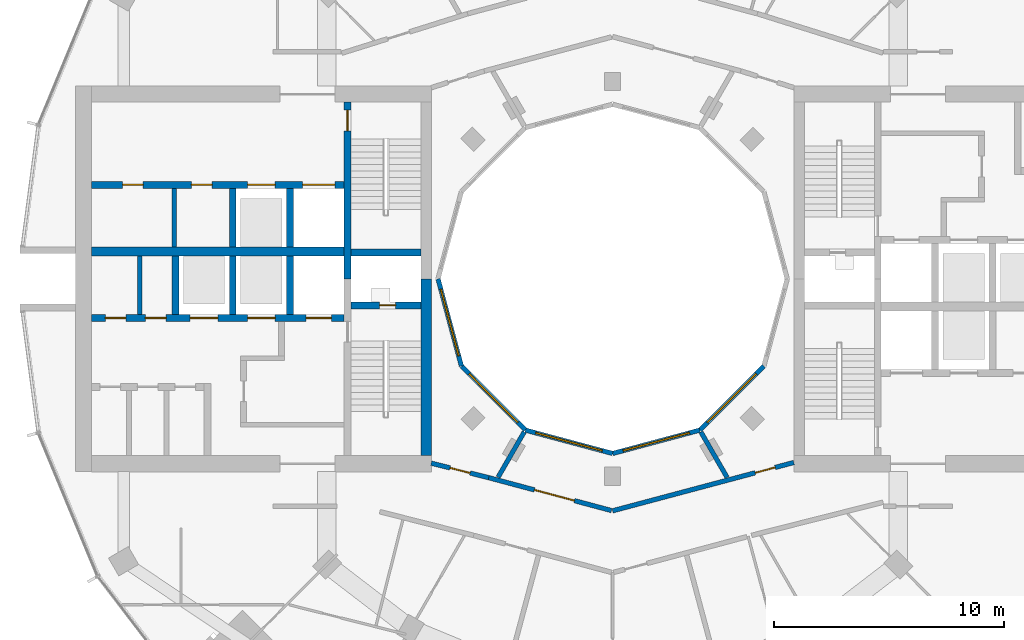
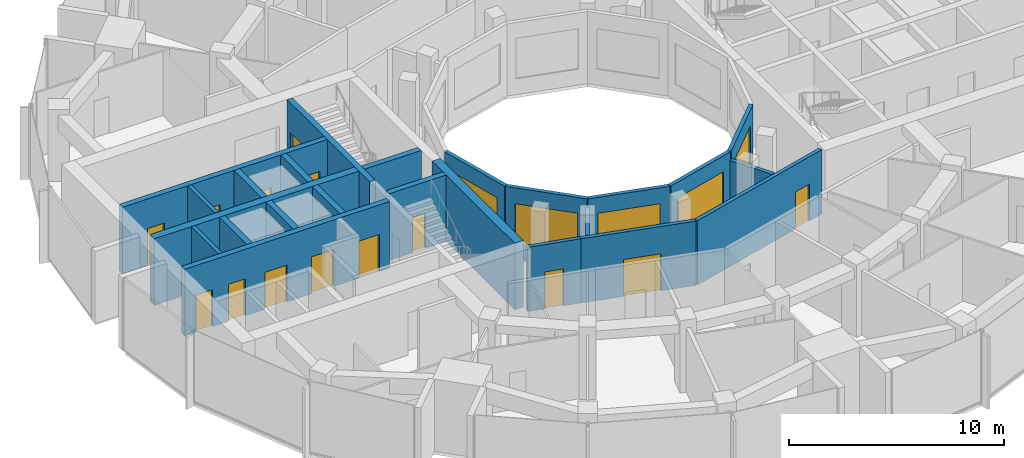
# One storey, part 9 of 15: 24 walls, 14 doors, 5 windows, 19 openings.
"""IFC4 building model written with IfcOpenShell, lengths in metres."""

from ifc_helpers import new_model, si_unit, direction, frame, frame_2d, origin, place, context, subcontext, project, spatial, rectangle, extrude, material, layer, layer_set, type_object, element, fill, save


model = new_model("IFC4")

# Units and contexts
model_context = context("Model", 3, precision=1e-05, world=origin(), true_north=direction((0.0, 1.0)))
body_context = subcontext(model_context, "Body", "Model", "MODEL_VIEW")
ifc_project = project(units=[si_unit("LENGTHUNIT", "METRE"), si_unit("AREAUNIT", "SQUARE_METRE"), si_unit("VOLUMEUNIT", "CUBIC_METRE"), si_unit("PLANEANGLEUNIT", "RADIAN"), si_unit("MASSUNIT", "GRAM", prefix="KILO")], contexts=[model_context])

# Site, building, storey
site_placement = place(None, origin())
site = spatial("IfcSite", under=ifc_project, at=site_placement, CompositionType="ELEMENT")
building_placement = place(site_placement, origin())
building = spatial("IfcBuilding", under=site, at=building_placement, Name="Torre Brocal", CompositionType="ELEMENT")
storey_placement = place(building_placement, frame((0.0, 0.0, 170.0)))
storey = spatial("IfcBuildingStorey", under=building, at=storey_placement, Name="L39", CompositionType="ELEMENT", Elevation=170.0)

# Walls
ifc_material_1 = material(Name="Masonry block", Category="masonry")
ifc_layer_1 = layer(ifc_material_1, 0.199951171875)
ifc_layer_set_1 = layer_set([ifc_layer_1], Name="Masonry block")
wall_type_1 = type_object("IfcWallType", Name="CORE PARTITION 200", PredefinedType="PARTITIONING", material=ifc_layer_set_1)
for number, where, z_axis, x_axis, name in (
    (1, (59.39990234375, 76.0, 0.0), (0.0, 0.0, 1.0), (0.0, -1.0, 0.0), "Wall CP200"),
    (2, (60.89990234375, 78.949951171875, 0.0), (0.0, 0.0, 1.0), (0.0, -1.0, 0.0), "Wall CP200"),
):
    element("IfcWall", number, at=place(storey_placement, frame(where, z_axis=z_axis, x_axis=x_axis)), inside=storey, type_object=wall_type_1, Name=name, PredefinedType="PARTITIONING", context=body_context, shape_type="SweptSolid", body=[
        extrude(rectangle(XDim=2.550048828125, YDim=0.199951171875, at=frame_2d((1.27490234375, 0.0))), origin(), (0.0, 0.0, 1.0), 3.780029296875),
    ])

# Wall, opening, door
ifc_material_2 = material(Name="Concrete C70", Category="concrete")
ifc_layer_2 = layer(ifc_material_2, 0.300048828125)
ifc_layer_set_2 = layer_set([ifc_layer_2], Name="Concrete C70")
wall_type_2 = type_object("IfcWallType", Name="CORE WALL 300 C70", PredefinedType="SHEAR", material=ifc_layer_set_2)
wall_1_placement = place(storey_placement, frame((68.449951171875, 82.699951171875, 0.0), z_axis=(0.0, 0.0, 1.0), x_axis=(0.0, -1.0, 0.0)))
wall_1 = element("IfcWall", 3, at=wall_1_placement, inside=storey, type_object=wall_type_2, Name="Wall CW300-70", PredefinedType="SHEAR", context=body_context, shape_type="SweptSolid", body=[
    extrude(rectangle(XDim=7.699951171875, YDim=0.300048828125, at=frame_2d((3.85009765625, 0.0))), origin(), (0.0, 0.0, 1.0), 3.780029296875),
])
opening_1_placement = place(wall_1_placement, frame((0.35009765625, 0.0, 0.0)))
opening_1 = element("IfcOpeningElement", 4, at=opening_1_placement, cuts=wall_1, Name="Opening W-D03", PredefinedType="OPENING", context=body_context, shape_type="SweptSolid", body=[
    extrude(rectangle(XDim=0.89990234375, YDim=2.10009765625, at=frame_2d((0.449951171875, 1.050048828125))), frame((0.0, 0.159912109375, 0.0), z_axis=(0.0, -1.0, 0.0), x_axis=(1.0, 0.0, 0.0)), (0.0, 0.0, 1.0), 0.320068359375),
])
ifc_material_3 = material(Name="Steel A653", Category="steel")
door_type_1 = type_object("IfcDoorType", Name="STAIR DOOR FD120 900X2100", OperationType="SINGLE_SWING_RIGHT", PredefinedType="DOOR", material=ifc_material_3)
door_1_placement = place(opening_1_placement, origin())
door_1 = element("IfcDoor", 5, at=door_1_placement, inside=storey, type_object=door_type_1, Name="Door W-D03", OperationType="SINGLE_SWING_LEFT", OverallHeight=2.10009765625, OverallWidth=0.89990234375, PredefinedType="DOOR", context=body_context, shape_type="SweptSolid", body=[
    extrude(rectangle(XDim=0.89990234375, YDim=2.10009765625, at=frame_2d((0.449951171875, 1.050048828125))), frame((0.0, 0.02490234375, 0.0), z_axis=(0.0, -1.0, 0.0), x_axis=(1.0, 0.0, 0.0)), (0.0, 0.0, 1.0), 0.050048828125),
])
fill(opening_1, door_1)

wall_2_placement = place(storey_placement, frame((71.64990234375, 73.85009765625, 0.0), z_axis=(0.0, 0.0, 1.0), x_axis=(-1.0, 0.0, 0.0)))
wall_2 = element("IfcWall", 6, at=wall_2_placement, inside=storey, type_object=wall_type_2, Name="Wall CW300-70", PredefinedType="SHEAR", context=body_context, shape_type="SweptSolid", body=[
    extrude(rectangle(XDim=3.0498046875, YDim=0.300048828125, at=frame_2d((1.52490234375, 0.0))), origin(), (0.0, 0.0, 1.0), 3.780029296875),
])
opening_2_placement = place(wall_2_placement, frame((1.10009765625, 0.0, 0.0)))
opening_2 = element("IfcOpeningElement", 7, at=opening_2_placement, cuts=wall_2, Name="Opening W-D01", PredefinedType="OPENING", context=body_context, shape_type="SweptSolid", body=[
    extrude(rectangle(XDim=0.699951171875, YDim=2.0, at=frame_2d((0.35009765625, 1.0))), frame((0.0, 0.159912109375, 0.0), z_axis=(0.0, -1.0, 0.0), x_axis=(1.0, 0.0, 0.0)), (0.0, 0.0, 1.0), 0.320068359375),
])
ifc_material_4 = material(Name="Steel A653", Category="steel")
door_type_2 = type_object("IfcDoorType", Name="RISER DOOR FD120 700X2000", OperationType="SINGLE_SWING_LEFT", PredefinedType="DOOR", material=ifc_material_4)
door_2_placement = place(opening_2_placement, frame((0.699951171875, 0.0, 0.0), z_axis=(0.0, 0.0, 1.0), x_axis=(-1.0, 0.0, 0.0)))
door_2 = element("IfcDoor", 8, at=door_2_placement, inside=storey, type_object=door_type_2, Name="Door W-D01", OperationType="SINGLE_SWING_RIGHT", OverallHeight=2.0, OverallWidth=0.699951171875, PredefinedType="DOOR", context=body_context, shape_type="SweptSolid", body=[
    extrude(rectangle(XDim=0.699951171875, YDim=2.0, at=frame_2d((0.35009765625, 1.0))), frame((0.0, 0.02490234375, 0.0), z_axis=(0.0, -1.0, 0.0), x_axis=(1.0, 0.0, 0.0)), (0.0, 0.0, 1.0), 0.050048828125),
])
fill(opening_2, door_2)

# Wall
wall_3_placement = place(storey_placement, frame((71.64990234375, 76.14990234375, 0.0), z_axis=(0.0, 0.0, 1.0), x_axis=(-1.0, 0.0, 0.0)))
element("IfcWall", 9, at=wall_3_placement, inside=storey, type_object=wall_type_2, Name="Wall CW300-70", PredefinedType="SHEAR", context=body_context, shape_type="SweptSolid", body=[
    extrude(rectangle(XDim=3.0498046875, YDim=0.300048828125, at=frame_2d((1.52490234375, 0.0))), origin(), (0.0, 0.0, 1.0), 3.780029296875),
])

# Wall, openings, doors
wall_4_placement = place(storey_placement, frame((68.300048828125, 73.300048828125, 0.0), z_axis=(0.0, 0.0, 1.0), x_axis=(-1.0, 0.0, 0.0)))
wall_4 = element("IfcWall", 10, at=wall_4_placement, inside=storey, type_object=wall_type_2, Name="Wall CW300-70", PredefinedType="SHEAR", context=body_context, shape_type="SweptSolid", body=[
    extrude(rectangle(XDim=11.0, YDim=0.300048828125, at=frame_2d((5.5, 0.0))), origin(), (0.0, 0.0, 1.0), 3.780029296875),
])
opening_3_placement = place(wall_4_placement, frame((0.550048828125, 0.0, 0.0)))
opening_3 = element("IfcOpeningElement", 11, at=opening_3_placement, cuts=wall_4, Name="Opening LD", PredefinedType="OPENING", context=body_context, shape_type="SweptSolid", body=[
    extrude(rectangle(XDim=1.10009765625, YDim=2.10009765625, at=frame_2d((0.550048828125, 1.050048828125))), frame((0.0, 0.159912109375, 0.0), z_axis=(0.0, -1.0, 0.0), x_axis=(1.0, 0.0, 0.0)), (0.0, 0.0, 1.0), 0.320068359375),
])
opening_4_placement = place(wall_4_placement, frame((3.0, 0.0, 0.0)))
opening_4 = element("IfcOpeningElement", 12, at=opening_4_placement, cuts=wall_4, Name="Opening LD12", PredefinedType="OPENING", context=body_context, shape_type="SweptSolid", body=[
    extrude(rectangle(XDim=1.199951171875, YDim=2.10009765625, at=frame_2d((0.60009765625, 1.050048828125))), frame((0.0, 0.159912109375, 0.0), z_axis=(0.0, -1.0, 0.0), x_axis=(1.0, 0.0, 0.0)), (0.0, 0.0, 1.0), 0.320068359375),
])
opening_5_placement = place(wall_4_placement, frame((5.5, 0.0, 0.0)))
opening_5 = element("IfcOpeningElement", 13, at=opening_5_placement, cuts=wall_4, Name="Opening LD12", PredefinedType="OPENING", context=body_context, shape_type="SweptSolid", body=[
    extrude(rectangle(XDim=1.199951171875, YDim=2.10009765625, at=frame_2d((0.60009765625, 1.050048828125))), frame((0.0, 0.159912109375, 0.0), z_axis=(0.0, -1.0, 0.0), x_axis=(1.0, 0.0, 0.0)), (0.0, 0.0, 1.0), 0.320068359375),
])
opening_6_placement = place(wall_4_placement, frame((7.75, 0.0, 0.0)))
opening_6 = element("IfcOpeningElement", 14, at=opening_6_placement, cuts=wall_4, Name="Opening W-D04", PredefinedType="OPENING", context=body_context, shape_type="SweptSolid", body=[
    extrude(rectangle(XDim=0.89990234375, YDim=2.10009765625, at=frame_2d((0.449951171875, 1.050048828125))), frame((0.0, 0.159912109375, 0.0), z_axis=(0.0, -1.0, 0.0), x_axis=(1.0, 0.0, 0.0)), (0.0, 0.0, 1.0), 0.320068359375),
])
opening_7_placement = place(wall_4_placement, frame((9.5, 0.0, 0.0)))
opening_7 = element("IfcOpeningElement", 15, at=opening_7_placement, cuts=wall_4, Name="Opening W-D05", PredefinedType="OPENING", context=body_context, shape_type="SweptSolid", body=[
    extrude(rectangle(XDim=0.89990234375, YDim=2.10009765625, at=frame_2d((0.449951171875, 1.050048828125))), frame((0.0, 0.159912109375, 0.0), z_axis=(0.0, -1.0, 0.0), x_axis=(1.0, 0.0, 0.0)), (0.0, 0.0, 1.0), 0.320068359375),
])
ifc_material_5 = material(Name="Stainless steel AISI 316", Category="steel")
door_type_3 = type_object("IfcDoorType", Name="LIFT LANDING DOOR 1100X2100", OperationType="DOUBLE_DOOR_SLIDING", PredefinedType="DOOR", material=ifc_material_5)
door_3_placement = place(opening_3_placement, origin())
door_3 = element("IfcDoor", 16, at=door_3_placement, inside=storey, type_object=door_type_3, Name="Door LD", OperationType="DOUBLE_DOOR_SLIDING", OverallHeight=2.10009765625, OverallWidth=1.10009765625, PredefinedType="DOOR", context=body_context, shape_type="SweptSolid", body=[
    extrude(rectangle(XDim=1.10009765625, YDim=2.10009765625, at=frame_2d((0.550048828125, 1.050048828125))), frame((0.0, 0.02490234375, 0.0), z_axis=(0.0, -1.0, 0.0), x_axis=(1.0, 0.0, 0.0)), (0.0, 0.0, 1.0), 0.050048828125),
])
fill(opening_3, door_3)
ifc_material_6 = material(Name="Stainless steel AISI 316", Category="steel")
door_type_4 = type_object("IfcDoorType", Name="LIFT LANDING DOOR 1200X2100", OperationType="DOUBLE_DOOR_SLIDING", PredefinedType="DOOR", material=ifc_material_6)
door_4_placement = place(opening_4_placement, origin())
door_4 = element("IfcDoor", 17, at=door_4_placement, inside=storey, type_object=door_type_4, Name="Door LD12", OperationType="DOUBLE_DOOR_SLIDING", OverallHeight=2.10009765625, OverallWidth=1.199951171875, PredefinedType="DOOR", context=body_context, shape_type="SweptSolid", body=[
    extrude(rectangle(XDim=1.199951171875, YDim=2.10009765625, at=frame_2d((0.60009765625, 1.050048828125))), frame((0.0, 0.02490234375, 0.0), z_axis=(0.0, -1.0, 0.0), x_axis=(1.0, 0.0, 0.0)), (0.0, 0.0, 1.0), 0.050048828125),
])
fill(opening_4, door_4)
door_5_placement = place(opening_5_placement, origin())
door_5 = element("IfcDoor", 18, at=door_5_placement, inside=storey, type_object=door_type_4, Name="Door LD12", OperationType="DOUBLE_DOOR_SLIDING", OverallHeight=2.10009765625, OverallWidth=1.199951171875, PredefinedType="DOOR", context=body_context, shape_type="SweptSolid", body=[
    extrude(rectangle(XDim=1.199951171875, YDim=2.10009765625, at=frame_2d((0.60009765625, 1.050048828125))), frame((0.0, 0.02490234375, 0.0), z_axis=(0.0, -1.0, 0.0), x_axis=(1.0, 0.0, 0.0)), (0.0, 0.0, 1.0), 0.050048828125),
])
fill(opening_5, door_5)
ifc_material_7 = material(Name="Steel A653", Category="steel")
door_type_5 = type_object("IfcDoorType", Name="ROOM DOOR FD30S 900X2100", OperationType="SINGLE_SWING_LEFT", PredefinedType="DOOR", material=ifc_material_7)
door_6_placement = place(opening_6_placement, frame((0.89990234375, 0.0, 0.0), z_axis=(0.0, 0.0, 1.0), x_axis=(-1.0, 0.0, 0.0)))
door_6 = element("IfcDoor", 19, at=door_6_placement, inside=storey, type_object=door_type_5, Name="Door W-D04", OperationType="SINGLE_SWING_LEFT", OverallHeight=2.10009765625, OverallWidth=0.89990234375, PredefinedType="DOOR", context=body_context, shape_type="SweptSolid", body=[
    extrude(rectangle(XDim=0.89990234375, YDim=2.10009765625, at=frame_2d((0.449951171875, 1.050048828125))), frame((0.0, 0.02490234375, 0.0), z_axis=(0.0, -1.0, 0.0), x_axis=(1.0, 0.0, 0.0)), (0.0, 0.0, 1.0), 0.050048828125),
])
fill(opening_6, door_6)
door_7_placement = place(opening_7_placement, frame((0.89990234375, 0.0, 0.0), z_axis=(0.0, 0.0, 1.0), x_axis=(-1.0, 0.0, 0.0)))
door_7 = element("IfcDoor", 20, at=door_7_placement, inside=storey, type_object=door_type_5, Name="Door W-D05", OperationType="SINGLE_SWING_RIGHT", OverallHeight=2.10009765625, OverallWidth=0.89990234375, PredefinedType="DOOR", context=body_context, shape_type="SweptSolid", body=[
    extrude(rectangle(XDim=0.89990234375, YDim=2.10009765625, at=frame_2d((0.449951171875, 1.050048828125))), frame((0.0, 0.02490234375, 0.0), z_axis=(0.0, -1.0, 0.0), x_axis=(1.0, 0.0, 0.0)), (0.0, 0.0, 1.0), 0.050048828125),
])
fill(opening_7, door_7)

wall_5_placement = place(storey_placement, frame((68.300048828125, 79.10009765625, 0.0), z_axis=(0.0, 0.0, 1.0), x_axis=(-1.0, 0.0, 0.0)))
wall_5 = element("IfcWall", 21, at=wall_5_placement, inside=storey, type_object=wall_type_2, Name="Wall CW300-70", PredefinedType="SHEAR", context=body_context, shape_type="SweptSolid", body=[
    extrude(rectangle(XDim=11.0, YDim=0.300048828125, at=frame_2d((5.5, 0.0))), origin(), (0.0, 0.0, 1.0), 3.780029296875),
])
opening_8_placement = place(wall_5_placement, frame((0.39990234375, 0.0, 0.0)))
opening_8 = element("IfcOpeningElement", 22, at=opening_8_placement, cuts=wall_5, Name="Opening LD14", PredefinedType="OPENING", context=body_context, shape_type="SweptSolid", body=[
    extrude(rectangle(XDim=1.39990234375, YDim=2.10009765625, at=frame_2d((0.699951171875, 1.050048828125))), frame((0.0, 0.159912109375, 0.0), z_axis=(0.0, -1.0, 0.0), x_axis=(1.0, 0.0, 0.0)), (0.0, 0.0, 1.0), 0.320068359375),
])
opening_9_placement = place(wall_5_placement, frame((3.0, 0.0, 0.0)))
opening_9 = element("IfcOpeningElement", 23, at=opening_9_placement, cuts=wall_5, Name="Opening LD12", PredefinedType="OPENING", context=body_context, shape_type="SweptSolid", body=[
    extrude(rectangle(XDim=1.199951171875, YDim=2.10009765625, at=frame_2d((0.60009765625, 1.050048828125))), frame((0.0, 0.159912109375, 0.0), z_axis=(0.0, -1.0, 0.0), x_axis=(1.0, 0.0, 0.0)), (0.0, 0.0, 1.0), 0.320068359375),
])
opening_10_placement = place(wall_5_placement, frame((5.75, 0.0, 0.0)))
opening_10 = element("IfcOpeningElement", 24, at=opening_10_placement, cuts=wall_5, Name="Opening W-D06", PredefinedType="OPENING", context=body_context, shape_type="SweptSolid", body=[
    extrude(rectangle(XDim=0.89990234375, YDim=2.10009765625, at=frame_2d((0.449951171875, 1.050048828125))), frame((0.0, 0.159912109375, 0.0), z_axis=(0.0, -1.0, 0.0), x_axis=(1.0, 0.0, 0.0)), (0.0, 0.0, 1.0), 0.320068359375),
])
opening_11_placement = place(wall_5_placement, frame((8.75, 0.0, 0.0)))
opening_11 = element("IfcOpeningElement", 25, at=opening_11_placement, cuts=wall_5, Name="Opening W-D07", PredefinedType="OPENING", context=body_context, shape_type="SweptSolid", body=[
    extrude(rectangle(XDim=0.89990234375, YDim=2.10009765625, at=frame_2d((0.449951171875, 1.050048828125))), frame((0.0, 0.159912109375, 0.0), z_axis=(0.0, -1.0, 0.0), x_axis=(1.0, 0.0, 0.0)), (0.0, 0.0, 1.0), 0.320068359375),
])
door_8_placement = place(opening_9_placement, origin())
door_8 = element("IfcDoor", 26, at=door_8_placement, inside=storey, type_object=door_type_4, Name="Door LD12", OperationType="DOUBLE_DOOR_SLIDING", OverallHeight=2.10009765625, OverallWidth=1.199951171875, PredefinedType="DOOR", context=body_context, shape_type="SweptSolid", body=[
    extrude(rectangle(XDim=1.199951171875, YDim=2.10009765625, at=frame_2d((0.60009765625, 1.050048828125))), frame((0.0, 0.02490234375, 0.0), z_axis=(0.0, -1.0, 0.0), x_axis=(1.0, 0.0, 0.0)), (0.0, 0.0, 1.0), 0.050048828125),
])
fill(opening_9, door_8)
ifc_material_8 = material(Name="Stainless steel AISI 316", Category="steel")
door_type_6 = type_object("IfcDoorType", Name="LIFT LANDING DOOR 1400X2100", OperationType="DOUBLE_DOOR_SLIDING", PredefinedType="DOOR", material=ifc_material_8)
door_9_placement = place(opening_8_placement, origin())
door_9 = element("IfcDoor", 27, at=door_9_placement, inside=storey, type_object=door_type_6, Name="Door LD14", OperationType="DOUBLE_DOOR_SLIDING", OverallHeight=2.10009765625, OverallWidth=1.39990234375, PredefinedType="DOOR", context=body_context, shape_type="SweptSolid", body=[
    extrude(rectangle(XDim=1.39990234375, YDim=2.10009765625, at=frame_2d((0.699951171875, 1.050048828125))), frame((0.0, 0.02490234375, 0.0), z_axis=(0.0, -1.0, 0.0), x_axis=(1.0, 0.0, 0.0)), (0.0, 0.0, 1.0), 0.050048828125),
])
fill(opening_8, door_9)
door_10_placement = place(opening_10_placement, origin())
door_10 = element("IfcDoor", 28, at=door_10_placement, inside=storey, type_object=door_type_5, Name="Door W-D06", OperationType="SINGLE_SWING_RIGHT", OverallHeight=2.10009765625, OverallWidth=0.89990234375, PredefinedType="DOOR", context=body_context, shape_type="SweptSolid", body=[
    extrude(rectangle(XDim=0.89990234375, YDim=2.10009765625, at=frame_2d((0.449951171875, 1.050048828125))), frame((0.0, 0.02490234375, 0.0), z_axis=(0.0, -1.0, 0.0), x_axis=(1.0, 0.0, 0.0)), (0.0, 0.0, 1.0), 0.050048828125),
])
fill(opening_10, door_10)
door_11_placement = place(opening_11_placement, origin())
door_11 = element("IfcDoor", 29, at=door_11_placement, inside=storey, type_object=door_type_5, Name="Door W-D07", OperationType="SINGLE_SWING_LEFT", OverallHeight=2.10009765625, OverallWidth=0.89990234375, PredefinedType="DOOR", context=body_context, shape_type="SweptSolid", body=[
    extrude(rectangle(XDim=0.89990234375, YDim=2.10009765625, at=frame_2d((0.449951171875, 1.050048828125))), frame((0.0, 0.02490234375, 0.0), z_axis=(0.0, -1.0, 0.0), x_axis=(1.0, 0.0, 0.0)), (0.0, 0.0, 1.0), 0.050048828125),
])
fill(opening_11, door_11)

# Walls
for number, where, z_axis, x_axis, name in (
    (30, (65.949951171875, 76.0, 0.0), (0.0, 0.0, 1.0), (0.0, -1.0, 0.0), "Wall CW300-70"),
    (31, (63.449951171875, 76.0, 0.0), (0.0, 0.0, 1.0), (0.0, -1.0, 0.0), "Wall CW300-70"),
    (32, (60.949951171875, 76.0, 0.0), (0.0, 0.0, 1.0), (0.0, -1.0, 0.0), "Wall CW300-70"),
    (33, (65.949951171875, 78.949951171875, 0.0), (0.0, 0.0, 1.0), (0.0, -1.0, 0.0), "Wall CW300-70"),
    (34, (63.449951171875, 78.949951171875, 0.0), (0.0, 0.0, 1.0), (0.0, -1.0, 0.0), "Wall CW300-70"),
):
    element("IfcWall", number, at=place(storey_placement, frame(where, z_axis=z_axis, x_axis=x_axis)), inside=storey, type_object=wall_type_2, Name=name, PredefinedType="SHEAR", context=body_context, shape_type="SweptSolid", body=[
        extrude(rectangle(XDim=2.550048828125, YDim=0.300048828125, at=frame_2d((1.27490234375, 0.0))), origin(), (0.0, 0.0, 1.0), 3.780029296875),
    ])
ifc_material_9 = material(Name="Concrete C70", Category="concrete")
ifc_layer_3 = layer(ifc_material_9, 0.39990234375)
ifc_layer_set_3 = layer_set([ifc_layer_3], Name="Concrete C70")
wall_type_3 = type_object("IfcWallType", Name="CORE WALL 400 C70", PredefinedType="SHEAR", material=ifc_layer_set_3)
wall_6_placement = place(storey_placement, frame((68.300048828125, 76.199951171875, 0.0), z_axis=(0.0, 0.0, 1.0), x_axis=(-1.0, 0.0, 0.0)))
element("IfcWall", 35, at=wall_6_placement, inside=storey, type_object=wall_type_3, Name="Wall CW400-70", PredefinedType="SHEAR", context=body_context, shape_type="SweptSolid", body=[
    extrude(rectangle(XDim=11.0, YDim=0.39990234375, at=frame_2d((5.5, 0.0))), origin(), (0.0, 0.0, 1.0), 3.780029296875),
])
ifc_material_10 = material(Name="Concrete C70", Category="concrete")
ifc_layer_4 = layer(ifc_material_10, 0.449951171875)
ifc_layer_set_4 = layer_set([ifc_layer_4], Name="Concrete C70")
wall_type_4 = type_object("IfcWallType", Name="CORE WALL 450 C70", PredefinedType="SHEAR", material=ifc_layer_set_4)
wall_7_placement = place(storey_placement, frame((71.875, 75.0, 0.0), z_axis=(0.0, 0.0, 1.0), x_axis=(0.0, -1.0, 0.0)))
element("IfcWall", 36, at=wall_7_placement, inside=storey, type_object=wall_type_4, Name="Wall CW450-70", PredefinedType="SHEAR", context=body_context, shape_type="SweptSolid", body=[
    extrude(rectangle(XDim=7.699951171875, YDim=0.449951171875, at=frame_2d((3.85009765625, 0.0))), origin(), (0.0, 0.0, 1.0), 3.780029296875),
])

# Wall, opening, door
ifc_material_11 = material(Name="Gypsum board", Category="Gypsum")
ifc_layer_5 = layer(ifc_material_11, 0.199951171875)
ifc_layer_set_5 = layer_set([ifc_layer_5], Name="Gypsum board")
wall_type_5 = type_object("IfcWallType", Name="PARTITION 200 EI60", PredefinedType="PARTITIONING", material=ifc_layer_set_5)
wall_8_placement = place(storey_placement, frame((72.10009765625, 66.97509765625, 0.0), z_axis=(0.0, 0.0, 1.0), x_axis=(0.969471314457, -0.245204752086, 0.0)))
wall_8 = element("IfcWall", 37, at=wall_8_placement, inside=storey, type_object=wall_type_5, Name="CORRIDOR WALL", PredefinedType="PARTITIONING", context=body_context, shape_type="SweptSolid", body=[
    extrude(rectangle(XDim=2.581787109375, YDim=0.199951171875, at=frame_2d((1.291015625, 0.0))), origin(), (0.0, 0.0, 1.0), 3.64990234375),
])
opening_12_placement = place(wall_8_placement, frame((0.8408203125, 0.0, 0.0)))
opening_12 = element("IfcOpeningElement", 38, at=opening_12_placement, cuts=wall_8, Name="Opening R02-D37", PredefinedType="OPENING", context=body_context, shape_type="SweptSolid", body=[
    extrude(rectangle(XDim=0.89990234375, YDim=2.10009765625, at=frame_2d((0.449951171875, 1.050048828125))), frame((0.0, 0.10986328125, 0.0), z_axis=(0.0, -1.0, 0.0), x_axis=(1.0, 0.0, 0.0)), (0.0, 0.0, 1.0), 0.219970703125),
])
ifc_material_12 = material(Name="Timber", Category="wood")
door_type_7 = type_object("IfcDoorType", Name="ROOM DOOR 900X2100", OperationType="SINGLE_SWING_LEFT", PredefinedType="DOOR", material=ifc_material_12)
door_12_placement = place(opening_12_placement, origin())
door_12 = element("IfcDoor", 39, at=door_12_placement, inside=storey, type_object=door_type_7, Name="R02-D37", OperationType="SINGLE_SWING_LEFT", OverallHeight=2.10009765625, OverallWidth=0.89990234375, PredefinedType="DOOR", context=body_context, shape_type="SweptSolid", body=[
    extrude(rectangle(XDim=0.89990234375, YDim=2.10009765625, at=frame_2d((0.449951171875, 1.050048828125))), frame((0.0, 0.02490234375, 0.0), z_axis=(0.0, -1.0, 0.0), x_axis=(1.0, 0.0, 0.0)), (0.0, 0.0, 1.0), 0.050048828125),
])
fill(opening_12, door_12)

wall_9_placement = place(storey_placement, frame((74.60302734375, 66.34228515625, 0.0), z_axis=(0.0, 0.0, 1.0), x_axis=(0.965895298152, -0.258932950796, 0.0)))
wall_9 = element("IfcWall", 40, at=wall_9_placement, inside=storey, type_object=wall_type_5, Name="CORRIDOR WALL", PredefinedType="PARTITIONING", context=body_context, shape_type="SweptSolid", body=[
    extrude(rectangle(XDim=5.53759765625, YDim=0.199951171875, at=frame_2d((2.768798828125, 0.0))), origin(), (0.0, 0.0, 1.0), 3.64990234375),
])
opening_13_placement = place(wall_9_placement, frame((2.0625, 0.0, 0.0)))
opening_13 = element("IfcOpeningElement", 41, at=opening_13_placement, cuts=wall_9, Name="Opening R02-D36", PredefinedType="OPENING", context=body_context, shape_type="SweptSolid", body=[
    extrude(rectangle(XDim=1.800048828125, YDim=2.10009765625, at=frame_2d((0.89990234375, 1.050048828125))), frame((0.0, 0.10986328125, 0.0), z_axis=(0.0, -1.0, 0.0), x_axis=(1.0, 0.0, 0.0)), (0.0, 0.0, 1.0), 0.219970703125),
])
ifc_material_13 = material(Name="Timber", Category="wood")
door_type_8 = type_object("IfcDoorType", Name="DOUBLE DOOR 1800X2100", OperationType="DOUBLE_DOOR_SINGLE_SWING", PredefinedType="DOOR", material=ifc_material_13)
door_13_placement = place(opening_13_placement, origin())
door_13 = element("IfcDoor", 42, at=door_13_placement, inside=storey, type_object=door_type_8, Name="R02-D36", OperationType="DOUBLE_DOOR_SINGLE_SWING", OverallHeight=2.10009765625, OverallWidth=1.800048828125, PredefinedType="DOOR", context=body_context, shape_type="SweptSolid", body=[
    extrude(rectangle(XDim=1.800048828125, YDim=2.10009765625, at=frame_2d((0.89990234375, 1.050048828125))), frame((0.0, 0.02490234375, 0.0), z_axis=(0.0, -1.0, 0.0), x_axis=(1.0, 0.0, 0.0)), (0.0, 0.0, 1.0), 0.050048828125),
])
fill(opening_13, door_13)

# Wall
wall_10_placement = place(storey_placement, frame((75.011962890625, 66.36328125, 0.0), z_axis=(0.0, 0.0, 1.0), x_axis=(0.500168489725, 0.86592810434, 0.0)))
element("IfcWall", 43, at=wall_10_placement, inside=storey, type_object=wall_type_5, Name="SERVICE ROOM WALL", PredefinedType="PARTITIONING", context=body_context, shape_type="SweptSolid", body=[
    extrude(rectangle(XDim=2.274169921875, YDim=0.199951171875, at=frame_2d((1.13720703125, 0.0))), origin(), (0.0, 0.0, 1.0), 3.64990234375),
])

# Wall, opening, door
wall_11_placement = place(storey_placement, frame((79.99951171875, 64.89794921875, 0.0), z_axis=(0.0, 0.0, 1.0), x_axis=(0.966237419782, 0.257653349704, 0.0)))
wall_11 = element("IfcWall", 44, at=wall_11_placement, inside=storey, type_object=wall_type_5, Name="CORRIDOR WALL", PredefinedType="PARTITIONING", context=body_context, shape_type="SweptSolid", body=[
    extrude(rectangle(XDim=8.1689453125, YDim=0.199951171875, at=frame_2d((4.08447265625, 0.0))), origin(), (0.0, 0.0, 1.0), 3.64990234375),
])
opening_14_placement = place(wall_11_placement, frame((6.427978515625, 0.0, 0.0)))
opening_14 = element("IfcOpeningElement", 45, at=opening_14_placement, cuts=wall_11, Name="Opening R02-D35", PredefinedType="OPENING", context=body_context, shape_type="SweptSolid", body=[
    extrude(rectangle(XDim=0.89990234375, YDim=2.10009765625, at=frame_2d((0.449951171875, 1.050048828125))), frame((0.0, 0.10986328125, 0.0), z_axis=(0.0, -1.0, 0.0), x_axis=(1.0, 0.0, 0.0)), (0.0, 0.0, 1.0), 0.219970703125),
])
door_14_placement = place(opening_14_placement, origin())
door_14 = element("IfcDoor", 46, at=door_14_placement, inside=storey, type_object=door_type_7, Name="R02-D35", OperationType="SINGLE_SWING_RIGHT", OverallHeight=2.10009765625, OverallWidth=0.89990234375, PredefinedType="DOOR", context=body_context, shape_type="SweptSolid", body=[
    extrude(rectangle(XDim=0.89990234375, YDim=2.10009765625, at=frame_2d((0.449951171875, 1.050048828125))), frame((0.0, 0.02490234375, 0.0), z_axis=(0.0, -1.0, 0.0), x_axis=(1.0, 0.0, 0.0)), (0.0, 0.0, 1.0), 0.050048828125),
])
fill(opening_14, door_14)

# Wall
wall_12_placement = place(storey_placement, frame((83.84716796875, 68.33056640625, 0.0), z_axis=(0.0, 0.0, 1.0), x_axis=(0.499851978358, -0.866110847255, 0.0)))
element("IfcWall", 47, at=wall_12_placement, inside=storey, type_object=wall_type_5, Name="PARTY PARTITION", PredefinedType="PARTITIONING", context=body_context, shape_type="SweptSolid", body=[
    extrude(rectangle(XDim=2.284423828125, YDim=0.199951171875, at=frame_2d((1.14208984375, 0.0))), origin(), (0.0, 0.0, 1.0), 3.64990234375),
])

# Wall, opening, window
ifc_material_14 = material(Name="Concrete C40", Category="concrete")
ifc_layer_6 = layer(ifc_material_14, 0.199951171875)
ifc_layer_set_6 = layer_set([ifc_layer_6], Name="Concrete C40")
wall_type_6 = type_object("IfcWallType", Name="WELL FACADE WALL 200", PredefinedType="NOTDEFINED", material=ifc_layer_set_6)
wall_13_placement = place(storey_placement, frame((72.396484375, 75.0, 0.0), z_axis=(0.0, 0.0, 1.0), x_axis=(0.258789828301, -0.965933654434, 0.0)))
wall_13 = element("IfcWall", 48, at=wall_13_placement, inside=storey, type_object=wall_type_6, Name="WELL FACADE WALL", PredefinedType="NOTDEFINED", context=body_context, shape_type="SweptSolid", body=[
    extrude(rectangle(XDim=3.935791015625, YDim=0.199951171875, at=frame_2d((1.9677734375, 0.0))), origin(), (0.0, 0.0, 1.0), 4.10009765625),
])
opening_15_placement = place(wall_13_placement, frame((0.468017578125, 0.0, 0.89990234375)))
opening_15 = element("IfcOpeningElement", 49, at=opening_15_placement, cuts=wall_13, Name="Opening W1", PredefinedType="OPENING", context=body_context, shape_type="SweptSolid", body=[
    extrude(rectangle(XDim=3.0, YDim=2.300048828125, at=frame_2d((1.5, 1.14990234375))), frame((0.0, 0.10986328125, 0.0), z_axis=(0.0, -1.0, 0.0), x_axis=(1.0, 0.0, 0.0)), (0.0, 0.0, 1.0), 0.219970703125),
])
ifc_material_15 = material(Name="Aluminium and glass", Category="aluminium")
window_type = type_object("IfcWindowType", Name="WELL WINDOW 3000X2300", PartitioningType="SINGLE_PANEL", PredefinedType="WINDOW", material=ifc_material_15)
window_1_placement = place(opening_15_placement, origin())
window_1 = element("IfcWindow", 50, at=window_1_placement, inside=storey, type_object=window_type, Name="WELL WINDOW 3000X2300", OverallHeight=2.300048828125, OverallWidth=3.0, PartitioningType="SINGLE_PANEL", PredefinedType="WINDOW", context=body_context, shape_type="SweptSolid", body=[
    extrude(rectangle(XDim=3.0, YDim=2.300048828125, at=frame_2d((1.5, 1.14990234375))), frame((0.0, 0.030029296875, 0.0), z_axis=(0.0, -1.0, 0.0), x_axis=(1.0, 0.0, 0.0)), (0.0, 0.0, 1.0), 0.06005859375),
])
fill(opening_15, window_1)

wall_14_placement = place(storey_placement, frame((73.4150390625, 71.1982421875, 0.0), z_axis=(0.0, 0.0, 1.0), x_axis=(0.707106781187, -0.707106781187, 0.0)))
wall_14 = element("IfcWall", 51, at=wall_14_placement, inside=storey, type_object=wall_type_6, Name="WELL FACADE WALL", PredefinedType="NOTDEFINED", context=body_context, shape_type="SweptSolid", body=[
    extrude(rectangle(XDim=3.93603515625, YDim=0.199951171875, at=frame_2d((1.968017578125, 0.0))), origin(), (0.0, 0.0, 1.0), 4.10009765625),
])
opening_16_placement = place(wall_14_placement, frame((0.468017578125, 0.0, 0.89990234375)))
opening_16 = element("IfcOpeningElement", 52, at=opening_16_placement, cuts=wall_14, Name="Opening W1", PredefinedType="OPENING", context=body_context, shape_type="SweptSolid", body=[
    extrude(rectangle(XDim=3.0, YDim=2.300048828125, at=frame_2d((1.5, 1.14990234375))), frame((0.0, 0.10986328125, 0.0), z_axis=(0.0, -1.0, 0.0), x_axis=(1.0, 0.0, 0.0)), (0.0, 0.0, 1.0), 0.219970703125),
])
window_2_placement = place(opening_16_placement, origin())
window_2 = element("IfcWindow", 53, at=window_2_placement, inside=storey, type_object=window_type, Name="WELL WINDOW 3000X2300", OverallHeight=2.300048828125, OverallWidth=3.0, PartitioningType="SINGLE_PANEL", PredefinedType="WINDOW", context=body_context, shape_type="SweptSolid", body=[
    extrude(rectangle(XDim=3.0, YDim=2.300048828125, at=frame_2d((1.5, 1.14990234375))), frame((0.0, 0.030029296875, 0.0), z_axis=(0.0, -1.0, 0.0), x_axis=(1.0, 0.0, 0.0)), (0.0, 0.0, 1.0), 0.06005859375),
])
fill(opening_16, window_2)

wall_15_placement = place(storey_placement, frame((76.1982421875, 68.4150390625, 0.0), z_axis=(0.0, 0.0, 1.0), x_axis=(0.965933654434, -0.258789828301, 0.0)))
wall_15 = element("IfcWall", 54, at=wall_15_placement, inside=storey, type_object=wall_type_6, Name="WELL FACADE WALL", PredefinedType="NOTDEFINED", context=body_context, shape_type="SweptSolid", body=[
    extrude(rectangle(XDim=3.935791015625, YDim=0.199951171875, at=frame_2d((1.9677734375, 0.0))), origin(), (0.0, 0.0, 1.0), 4.10009765625),
])
opening_17_placement = place(wall_15_placement, frame((0.468017578125, 0.0, 0.89990234375)))
opening_17 = element("IfcOpeningElement", 55, at=opening_17_placement, cuts=wall_15, Name="Opening W1", PredefinedType="OPENING", context=body_context, shape_type="SweptSolid", body=[
    extrude(rectangle(XDim=3.0, YDim=2.300048828125, at=frame_2d((1.5, 1.14990234375))), frame((0.0, 0.10986328125, 0.0), z_axis=(0.0, -1.0, 0.0), x_axis=(1.0, 0.0, 0.0)), (0.0, 0.0, 1.0), 0.219970703125),
])
window_3_placement = place(opening_17_placement, origin())
window_3 = element("IfcWindow", 56, at=window_3_placement, inside=storey, type_object=window_type, Name="WELL WINDOW 3000X2300", OverallHeight=2.300048828125, OverallWidth=3.0, PartitioningType="SINGLE_PANEL", PredefinedType="WINDOW", context=body_context, shape_type="SweptSolid", body=[
    extrude(rectangle(XDim=3.0, YDim=2.300048828125, at=frame_2d((1.5, 1.14990234375))), frame((0.0, 0.030029296875, 0.0), z_axis=(0.0, -1.0, 0.0), x_axis=(1.0, 0.0, 0.0)), (0.0, 0.0, 1.0), 0.06005859375),
])
fill(opening_17, window_3)

wall_16_placement = place(storey_placement, frame((80.0, 67.396484375, 0.0), z_axis=(0.0, 0.0, 1.0), x_axis=(0.965933654434, 0.258789828301, 0.0)))
wall_16 = element("IfcWall", 57, at=wall_16_placement, inside=storey, type_object=wall_type_6, Name="WELL FACADE WALL", PredefinedType="NOTDEFINED", context=body_context, shape_type="SweptSolid", body=[
    extrude(rectangle(XDim=3.935791015625, YDim=0.199951171875, at=frame_2d((1.9677734375, 0.0))), origin(), (0.0, 0.0, 1.0), 4.10009765625),
])
opening_18_placement = place(wall_16_placement, frame((0.468017578125, 0.0, 0.89990234375)))
opening_18 = element("IfcOpeningElement", 58, at=opening_18_placement, cuts=wall_16, Name="Opening W1", PredefinedType="OPENING", context=body_context, shape_type="SweptSolid", body=[
    extrude(rectangle(XDim=3.0, YDim=2.300048828125, at=frame_2d((1.5, 1.14990234375))), frame((0.0, 0.10986328125, 0.0), z_axis=(0.0, -1.0, 0.0), x_axis=(1.0, 0.0, 0.0)), (0.0, 0.0, 1.0), 0.219970703125),
])
window_4_placement = place(opening_18_placement, origin())
window_4 = element("IfcWindow", 59, at=window_4_placement, inside=storey, type_object=window_type, Name="WELL WINDOW 3000X2300", OverallHeight=2.300048828125, OverallWidth=3.0, PartitioningType="SINGLE_PANEL", PredefinedType="WINDOW", context=body_context, shape_type="SweptSolid", body=[
    extrude(rectangle(XDim=3.0, YDim=2.300048828125, at=frame_2d((1.5, 1.14990234375))), frame((0.0, 0.030029296875, 0.0), z_axis=(0.0, -1.0, 0.0), x_axis=(1.0, 0.0, 0.0)), (0.0, 0.0, 1.0), 0.06005859375),
])
fill(opening_18, window_4)

wall_17_placement = place(storey_placement, frame((83.8017578125, 68.4150390625, 0.0), z_axis=(0.0, 0.0, 1.0), x_axis=(0.707106781187, 0.707106781187, 0.0)))
wall_17 = element("IfcWall", 60, at=wall_17_placement, inside=storey, type_object=wall_type_6, Name="WELL FACADE WALL", PredefinedType="NOTDEFINED", context=body_context, shape_type="SweptSolid", body=[
    extrude(rectangle(XDim=3.93603515625, YDim=0.199951171875, at=frame_2d((1.968017578125, 0.0))), origin(), (0.0, 0.0, 1.0), 4.10009765625),
])
opening_19_placement = place(wall_17_placement, frame((0.468017578125, 0.0, 0.89990234375)))
opening_19 = element("IfcOpeningElement", 61, at=opening_19_placement, cuts=wall_17, Name="Opening W1", PredefinedType="OPENING", context=body_context, shape_type="SweptSolid", body=[
    extrude(rectangle(XDim=3.0, YDim=2.300048828125, at=frame_2d((1.5, 1.14990234375))), frame((0.0, 0.10986328125, 0.0), z_axis=(0.0, -1.0, 0.0), x_axis=(1.0, 0.0, 0.0)), (0.0, 0.0, 1.0), 0.219970703125),
])
window_5_placement = place(opening_19_placement, origin())
window_5 = element("IfcWindow", 62, at=window_5_placement, inside=storey, type_object=window_type, Name="WELL WINDOW 3000X2300", OverallHeight=2.300048828125, OverallWidth=3.0, PartitioningType="SINGLE_PANEL", PredefinedType="WINDOW", context=body_context, shape_type="SweptSolid", body=[
    extrude(rectangle(XDim=3.0, YDim=2.300048828125, at=frame_2d((1.5, 1.14990234375))), frame((0.0, 0.030029296875, 0.0), z_axis=(0.0, -1.0, 0.0), x_axis=(1.0, 0.0, 0.0)), (0.0, 0.0, 1.0), 0.06005859375),
])
fill(opening_19, window_5)

save(model, "model.ifc")
